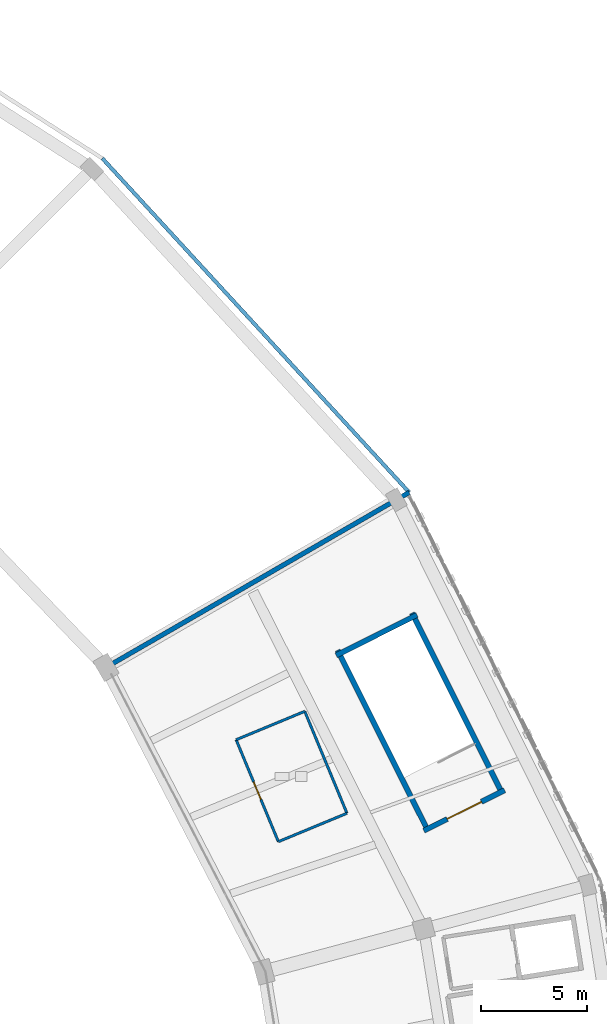
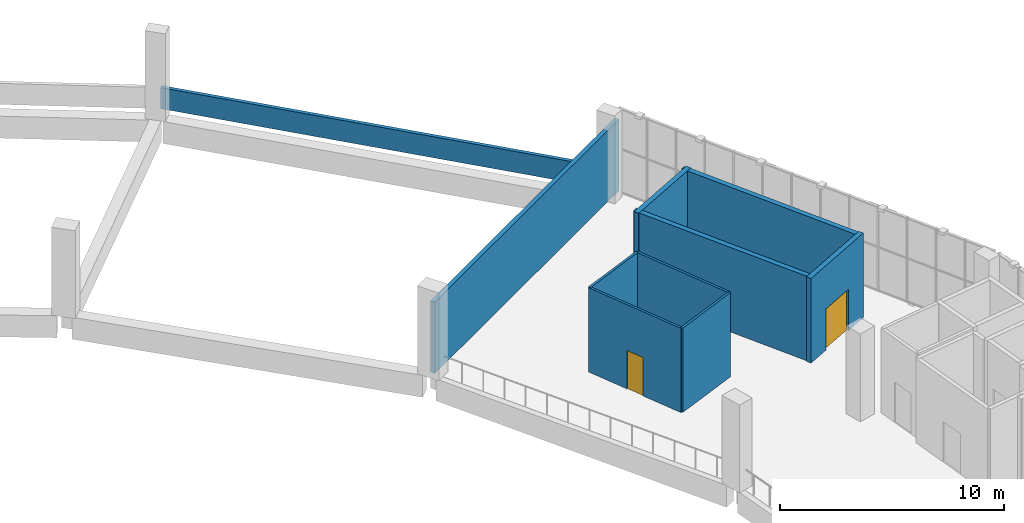
# One storey, part 47 of 64: 10 walls, 2 doors, 2 openings.
"""IFC4 building model written with IfcOpenShell, lengths in metres."""

from ifc_helpers import new_model, si_unit, direction, frame, frame_2d, origin, place, context, subcontext, project, spatial, rectangle, extrude, material, layer, layer_set, type_object, element, fill, save


model = new_model("IFC4")

# Units and contexts
model_context = context("Model", 3, precision=1e-05, world=origin(), true_north=direction((0.0, 1.0)))
body_context = subcontext(model_context, "Body", "Model", "MODEL_VIEW")
ifc_project = project(units=[si_unit("LENGTHUNIT", "METRE"), si_unit("AREAUNIT", "SQUARE_METRE"), si_unit("VOLUMEUNIT", "CUBIC_METRE"), si_unit("PLANEANGLEUNIT", "RADIAN"), si_unit("MASSUNIT", "GRAM", prefix="KILO")], contexts=[model_context])

# Site, building, storey
site_placement = place(None, origin())
site = spatial("IfcSite", under=ifc_project, at=site_placement, CompositionType="ELEMENT")
building_placement = place(site_placement, origin())
building = spatial("IfcBuilding", under=site, at=building_placement, Name="Zevraka Park Crest Stadium", CompositionType="ELEMENT")
storey_placement = place(building_placement, frame((0.0, 0.0, 24.60009765625)))
storey = spatial("IfcBuildingStorey", under=building, at=storey_placement, Name="L05", CompositionType="ELEMENT", Elevation=24.60009765625)

# Wall, opening, door
ifc_material_1 = material(Name="Moisture-resistant sanitary partition", Category="other")
ifc_layer_1 = layer(ifc_material_1, 0.1201171875)
ifc_layer_set_1 = layer_set([ifc_layer_1], Name="Moisture-resistant sanitary partition")
wall_type_1 = type_object("IfcWallType", Name="IW04", PredefinedType="PARTITIONING", material=ifc_layer_set_1)
wall_1_placement = place(storey_placement, frame((184.64208984375, 113.534912109375, 0.0), z_axis=(0.0, 0.0, 1.0), x_axis=(-0.38268766097, 0.923877780955, 0.0)))
wall_1 = element("IfcWall", 1, at=wall_1_placement, inside=storey, type_object=wall_type_1, Name="Sanitary Enclosure Wall IW04 Male WC L05-001-1", PredefinedType="PARTITIONING", context=body_context, shape_type="SweptSolid", body=[
    extrude(rectangle(XDim=5.199951171875, YDim=0.1201171875, at=frame_2d((2.60009765625, 0.0))), origin(), (0.0, 0.0, 1.0), 4.599853515625),
])
opening_1_placement = place(wall_1_placement, frame((2.14990234375, 0.0, 0.0)))
opening_1 = element("IfcOpeningElement", 2, at=opening_1_placement, cuts=wall_1, Name="Opening D-L05-352", PredefinedType="OPENING", context=body_context, shape_type="SweptSolid", body=[
    extrude(rectangle(XDim=0.89990234375, YDim=2.10009765625, at=frame_2d((0.449951171875, 1.050048828125))), frame((0.0, 0.070068359375, 0.0), z_axis=(0.0, -1.0, 0.0), x_axis=(1.0, 0.0, 0.0)), (0.0, 0.0, 1.0), 0.14013671875),
])
ifc_material_2 = material(Name="Solid-core hardwood timber leaf in steel frame", Category="steel")
door_type_1 = type_object("IfcDoorType", Name="DR01", OperationType="NOTDEFINED", PredefinedType="DOOR", material=ifc_material_2)
door_1_placement = place(opening_1_placement, origin())
door_1 = element("IfcDoor", 3, at=door_1_placement, inside=storey, type_object=door_type_1, Name="Male WC Door D-L05-352", OperationType="SINGLE_SWING_RIGHT", OverallHeight=2.10009765625, OverallWidth=0.89990234375, PredefinedType="DOOR", context=body_context, shape_type="SweptSolid", body=[
    extrude(rectangle(XDim=0.89990234375, YDim=2.10009765625, at=frame_2d((0.449951171875, 1.050048828125))), frame((0.0, 0.02490234375, 0.0), z_axis=(0.0, -1.0, 0.0), x_axis=(1.0, 0.0, 0.0)), (0.0, 0.0, 1.0), 0.050048828125),
])
fill(opening_1, door_1)

# Walls
wall_2_placement = place(storey_placement, frame((182.652099609375, 118.339111328125, 0.0), z_axis=(0.0, 0.0, 1.0), x_axis=(0.923904592733, 0.382622926034, 0.0)))
element("IfcWall", 4, at=wall_2_placement, inside=storey, type_object=wall_type_1, Name="Sanitary Enclosure Wall IW04 Male WC L05-001-2", PredefinedType="PARTITIONING", context=body_context, shape_type="SweptSolid", body=[
    extrude(rectangle(XDim=3.499267578125, YDim=0.1201171875, at=frame_2d((1.74951171875, 0.0))), origin(), (0.0, 0.0, 1.0), 4.599853515625),
])
wall_3_placement = place(storey_placement, frame((185.885009765625, 119.677978515625, 0.0), z_axis=(0.0, 0.0, 1.0), x_axis=(0.382704261034, -0.923870904719, 0.0)))
element("IfcWall", 5, at=wall_3_placement, inside=storey, type_object=wall_type_1, Name="Sanitary Enclosure Wall IW04 Male WC L05-001-3", PredefinedType="PARTITIONING", context=body_context, shape_type="SweptSolid", body=[
    extrude(rectangle(XDim=5.19970703125, YDim=0.1201171875, at=frame_2d((2.599853515625, 0.0))), origin(), (0.0, 0.0, 1.0), 4.599853515625),
])
wall_4_placement = place(storey_placement, frame((187.875, 114.8740234375, 0.0), z_axis=(0.0, 0.0, 1.0), x_axis=(-0.923879927009, -0.382682479961, 0.0)))
element("IfcWall", 6, at=wall_4_placement, inside=storey, type_object=wall_type_1, Name="Sanitary Enclosure Wall IW04 Male WC L05-001-4", PredefinedType="PARTITIONING", context=body_context, shape_type="SweptSolid", body=[
    extrude(rectangle(XDim=3.499267578125, YDim=0.1201171875, at=frame_2d((1.74951171875, 0.0))), origin(), (0.0, 0.0, 1.0), 4.599853515625),
])
ifc_material_3 = material(Name="Precast concrete C40/50", Category="concrete")
ifc_layer_2 = layer(ifc_material_3, 0.219970703125)
ifc_layer_set_2 = layer_set([ifc_layer_2], Name="Precast concrete C40/50")
wall_type_2 = type_object("IfcWallType", Name="PW01", PredefinedType="PARAPET", material=ifc_layer_set_2)
wall_5_placement = place(storey_placement, frame((176.51904296875, 121.75, 0.0), z_axis=(0.0, 0.0, 1.0), x_axis=(0.866019999656, 0.500009360108, 0.0)))
element("IfcWall", 7, at=wall_5_placement, inside=storey, type_object=wall_type_2, Name="Crown Tribune End Closure Wall PW01 02", PredefinedType="PARAPET", context=body_context, shape_type="SweptSolid", body=[
    extrude(rectangle(XDim=16.499755859375, YDim=0.219970703125, at=frame_2d((8.25, 0.0))), origin(), (0.0, 0.0, 1.0), 3.889892578125),
])
ifc_material_4 = material(Name="Precast concrete C40/50", Category="concrete")
ifc_layer_3 = layer(ifc_material_4, 0.179931640625)
ifc_layer_set_3 = layer_set([ifc_layer_3], Name="Precast concrete C40/50")
wall_type_3 = type_object("IfcWallType", Name="PW02", PredefinedType="PARAPET", material=ifc_layer_set_3)
wall_6_placement = place(storey_placement, frame((190.80810546875, 130.0, 0.0), z_axis=(0.0, 0.0, 1.0), x_axis=(-0.676559509476, 0.736387961701, 0.0)))
element("IfcWall", 8, at=wall_6_placement, inside=storey, type_object=wall_type_3, Name="Setback Roof Parapet Wall PW02 02", PredefinedType="PARAPET", context=body_context, shape_type="SweptSolid", body=[
    extrude(rectangle(XDim=21.37451171875, YDim=0.179931640625, at=frame_2d((10.687255859375, 0.0))), origin(), (0.0, 0.0, 1.0), 1.14990234375),
])
ifc_material_5 = material(Name="Concrete C40/50", Category="concrete")
ifc_layer_4 = layer(ifc_material_5, 0.25)
ifc_layer_set_4 = layer_set([ifc_layer_4], Name="Concrete C40/50")
wall_type_4 = type_object("IfcWallType", Name="SW01", PredefinedType="SHEAR", material=ifc_layer_set_4)
for number, where, z_axis, x_axis, name in (
    (9, (195.214599609375, 115.7744140625, 0.0), (0.0, 0.0, 1.0), (-0.447919041961, 0.894074119885, 0.0), "Stair Core Shear Wall SW01 ST02 L05 left"),
    (10, (187.43212890625, 122.556884765625, 0.0), (0.0, 0.0, 1.0), (0.447919041961, -0.894074119885, 0.0), "Stair Core Shear Wall SW01 ST02 L05 right"),
):
    element("IfcWall", number, at=place(storey_placement, frame(where, z_axis=z_axis, x_axis=x_axis)), inside=storey, type_object=wall_type_4, Name=name, PredefinedType="SHEAR", context=body_context, shape_type="SweptSolid", body=[
        extrude(rectangle(XDim=9.5498046875, YDim=0.25, at=frame_2d((4.77490234375, 0.0))), origin(), (0.0, 0.0, 1.0), 4.619873046875),
    ])

# Wall, opening, door
wall_7_placement = place(storey_placement, frame((191.501708984375, 114.05419921875, 0.0), z_axis=(0.0, 0.0, 1.0), x_axis=(0.89409454548, 0.447878268888, 0.0)))
wall_7 = element("IfcWall", 11, at=wall_7_placement, inside=storey, type_object=wall_type_4, Name="Stair Core Shear Wall SW01 ST02 L05 near", PredefinedType="SHEAR", context=body_context, shape_type="SweptSolid", body=[
    extrude(rectangle(XDim=4.260009765625, YDim=0.25, at=frame_2d((2.1298828125, 0.0))), origin(), (0.0, 0.0, 1.0), 4.619873046875),
])
opening_2_placement = place(wall_7_placement, frame((1.22998046875, 0.0, 0.0)))
opening_2 = element("IfcOpeningElement", 12, at=opening_2_placement, cuts=wall_7, Name="Opening D-L05-014", PredefinedType="OPENING", context=body_context, shape_type="SweptSolid", body=[
    extrude(rectangle(XDim=1.800048828125, YDim=2.25, at=frame_2d((0.89990234375, 1.125))), frame((0.0, 0.135009765625, 0.0), z_axis=(0.0, -1.0, 0.0), x_axis=(1.0, 0.0, 0.0)), (0.0, 0.0, 1.0), 0.27001953125),
])
ifc_material_6 = material(Name="Solid-core hardwood timber leaf in steel frame", Category="steel")
door_type_2 = type_object("IfcDoorType", Name="DR04", OperationType="NOTDEFINED", PredefinedType="DOOR", material=ifc_material_6)
door_2_placement = place(opening_2_placement, origin())
door_2 = element("IfcDoor", 13, at=door_2_placement, inside=storey, type_object=door_type_2, Name="Protected Stair Entry Door ST02 L05", OperationType="DOUBLE_DOOR_SINGLE_SWING", OverallHeight=2.25, OverallWidth=1.800048828125, PredefinedType="DOOR", context=body_context, shape_type="SweptSolid", body=[
    extrude(rectangle(XDim=1.800048828125, YDim=2.25, at=frame_2d((0.89990234375, 1.125))), frame((0.0, 0.02490234375, 0.0), z_axis=(0.0, -1.0, 0.0), x_axis=(1.0, 0.0, 0.0)), (0.0, 0.0, 1.0), 0.050048828125),
])
fill(opening_2, door_2)

# Wall
wall_8_placement = place(storey_placement, frame((191.171875, 124.223388671875, 0.0), z_axis=(0.0, 0.0, 1.0), x_axis=(-0.89409454548, -0.447878268888, 0.0)))
element("IfcWall", 14, at=wall_8_placement, inside=storey, type_object=wall_type_4, Name="Stair Core Shear Wall SW01 ST02 L05 far", PredefinedType="SHEAR", context=body_context, shape_type="SweptSolid", body=[
    extrude(rectangle(XDim=4.260009765625, YDim=0.25, at=frame_2d((2.1298828125, 0.0))), origin(), (0.0, 0.0, 1.0), 4.619873046875),
])

save(model, "model.ifc")
